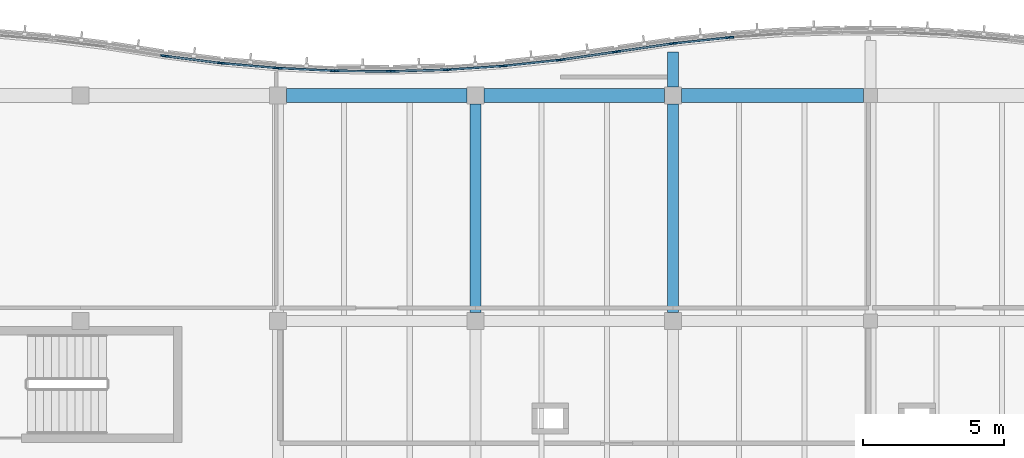
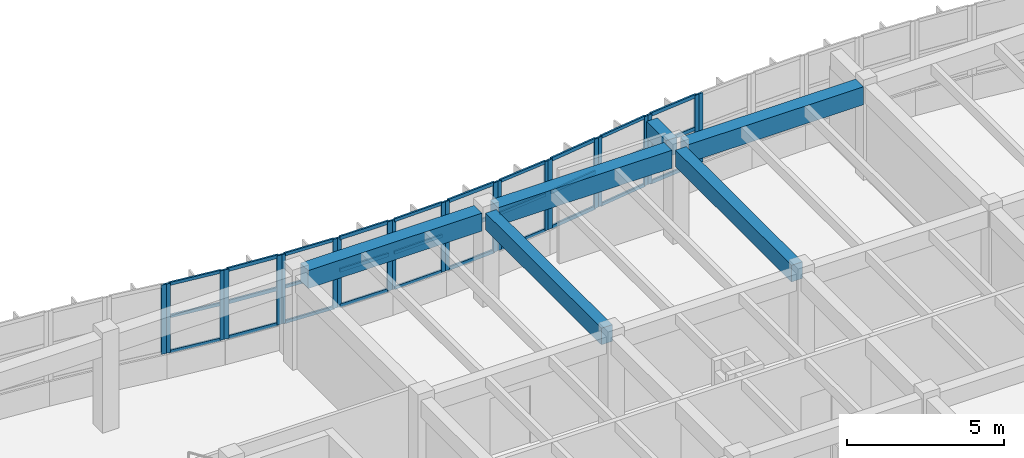
# One storey, part 39 of 89: 52 members, 6 beams, 12 elements without a shape of their own.
"""IFC4 building model written with IfcOpenShell, lengths in metres."""

from ifc_helpers import new_model, si_unit, direction, frame, origin, origin_2d, place, context, subcontext, project, spatial, rectangle, extrude, material, layer, layer_set, material_profile, profile_set, type_object, element, aggregate, save


model = new_model("IFC4")

# Units and contexts
model_context = context("Model", 3, precision=1e-05, world=origin(), true_north=direction((0.0, 1.0)))
body_context = subcontext(model_context, "Body", "Model", "MODEL_VIEW")
ifc_project = project(units=[si_unit("LENGTHUNIT", "METRE"), si_unit("AREAUNIT", "SQUARE_METRE"), si_unit("VOLUMEUNIT", "CUBIC_METRE"), si_unit("PLANEANGLEUNIT", "RADIAN"), si_unit("MASSUNIT", "GRAM", prefix="KILO")], contexts=[model_context])

# Site, building, storey
site_placement = place(None, origin())
site = spatial("IfcSite", under=ifc_project, at=site_placement, CompositionType="ELEMENT")
building_placement = place(site_placement, origin())
building = spatial("IfcBuilding", under=site, at=building_placement, Name="Tonlespit Floodbar School", CompositionType="ELEMENT")
storey_placement = place(building_placement, frame((0.0, 0.0, 4.5)))
storey = spatial("IfcBuildingStorey", under=building, at=storey_placement, Name="L01", CompositionType="ELEMENT", Elevation=4.5)

# Beams
ifc_material_1 = material(Name="Concrete C40/50", Category="concrete")
ifc_material_profile_1 = material_profile(ifc_material_1, rectangle(XDim=0.39990234375, YDim=0.64990234375, at=origin_2d()), Name="RC 400x650")
ifc_profile_set_1 = profile_set([ifc_material_profile_1], Name="Concrete C40/50")
beam_type_1 = type_object("IfcBeamType", Name="Beam_RC_400x650", PredefinedType="BEAM", material=ifc_profile_set_1)
for number, where, z_axis, x_axis, name in (
    (1, (141.0, 112.300048828125, 3.320068359375), (0.0, 1.0, 0.0), (-1.0, 0.0, 0.0), "L01 girder 0753"),
    (2, (148.0, 112.300048828125, 3.320068359375), (0.0, 1.0, 0.0), (-1.0, 0.0, 0.0), "L01 girder 0760"),
):
    element("IfcBeam", number, at=place(storey_placement, frame(where, z_axis=z_axis, x_axis=x_axis)), inside=storey, type_object=beam_type_1, Name=name, PredefinedType="BEAM", context=body_context, shape_type="SweptSolid", body=[
        extrude(rectangle(XDim=0.39990234375, YDim=0.64990234375, at=origin_2d()), origin(), (0.0, 0.0, 1.0), 7.39990234375),
    ])
beam_1_placement = place(storey_placement, frame((148.0, 120.300048828125, 3.320068359375), z_axis=(0.0, 1.0, 0.0), x_axis=(-1.0, 0.0, 0.0)))
element("IfcBeam", 3, at=beam_1_placement, inside=storey, type_object=beam_type_1, Name="L01 north street wave cantilever bracket", PredefinedType="BEAM", context=body_context, shape_type="SweptSolid", body=[
    extrude(rectangle(XDim=0.39990234375, YDim=0.64990234375, at=origin_2d()), origin(), (0.0, 0.0, 1.0), 1.241455078125),
])

# Curtain wall, members
ifc_material_2 = material(Name="Anodised Aluminium", Category="aluminium")
ifc_layer_1 = layer(ifc_material_2, 0.159912109375)
ifc_layer_set_1 = layer_set([ifc_layer_1], Name="Anodised Aluminium")
curtain_wall_type_1 = type_object("IfcCurtainWallType", Name="CurtainWall_1950x2700", PredefinedType="NOTDEFINED", material=ifc_layer_set_1)
curtain_wall_1_placement = place(storey_placement, origin())
curtain_wall_1 = element("IfcCurtainWall", 4, at=curtain_wall_1_placement, inside=storey, type_object=curtain_wall_type_1, Name="L01 unitised curtain wall 0384", PredefinedType="NOTDEFINED")
ifc_material_profile_2 = material_profile(ifc_material_2, rectangle(XDim=0.06494140625, YDim=0.14990234375, at=origin_2d()), Name="ALU M65x150")
ifc_profile_set_2 = profile_set([ifc_material_profile_2], Name="Anodised Aluminium")
member_type_1 = type_object("IfcMemberType", Name="CW_Mullion_65x150", PredefinedType="MULLION", material=ifc_profile_set_2)
member_1_placement = place(storey_placement, frame((130.072021484375, 121.38525390625, 0.949951171875), z_axis=(0.0, 0.0, 1.0), x_axis=(0.125013803299, 0.992155002499, 0.0)))
member_1 = element("IfcMember", 5, at=member_1_placement, type_object=member_type_1, Name="CW-04 mullion 1", PredefinedType="MULLION", context=body_context, shape_type="SweptSolid", body=[
    extrude(rectangle(XDim=0.06494140625, YDim=0.14990234375, at=origin_2d()), origin(), (0.0, 0.0, 1.0), 2.699951171875),
])
member_2_placement = place(storey_placement, frame((131.927978515625, 121.1513671875, 0.949951171875), z_axis=(0.0, 0.0, 1.0), x_axis=(0.125013803299, 0.992155002499, 0.0)))
member_2 = element("IfcMember", 6, at=member_2_placement, type_object=member_type_1, Name="CW-04 mullion 2", PredefinedType="MULLION", context=body_context, shape_type="SweptSolid", body=[
    extrude(rectangle(XDim=0.06494140625, YDim=0.14990234375, at=origin_2d()), origin(), (0.0, 0.0, 1.0), 2.699951171875),
])

ifc_layer_2 = layer(ifc_material_2, 0.159912109375)
ifc_layer_set_2 = layer_set([ifc_layer_2], Name="Anodised Aluminium")
curtain_wall_type_2 = type_object("IfcCurtainWallType", Name="CurtainWall_1900x2700", PredefinedType="NOTDEFINED", material=ifc_layer_set_2)
curtain_wall_2_placement = place(storey_placement, origin())
curtain_wall_2 = element("IfcCurtainWall", 7, at=curtain_wall_2_placement, inside=storey, type_object=curtain_wall_type_2, Name="L01 unitised curtain wall 0386", PredefinedType="NOTDEFINED")
member_3_placement = place(storey_placement, frame((134.072509765625, 120.965087890625, 0.949951171875), z_axis=(0.0, 0.0, 1.0), x_axis=(0.048121270216, 0.998841500616, 0.0)))
member_3 = element("IfcMember", 8, at=member_3_placement, type_object=member_type_1, Name="CW-05 mullion 1", PredefinedType="MULLION", context=body_context, shape_type="SweptSolid", body=[
    extrude(rectangle(XDim=0.06494140625, YDim=0.14990234375, at=origin_2d()), origin(), (0.0, 0.0, 1.0), 2.699951171875),
])
member_4_placement = place(storey_placement, frame((135.927490234375, 120.875732421875, 0.949951171875), z_axis=(0.0, 0.0, 1.0), x_axis=(0.048121270216, 0.998841500616, 0.0)))
member_4 = element("IfcMember", 9, at=member_4_placement, type_object=member_type_1, Name="CW-05 mullion 2", PredefinedType="MULLION", context=body_context, shape_type="SweptSolid", body=[
    extrude(rectangle(XDim=0.06494140625, YDim=0.14990234375, at=origin_2d()), origin(), (0.0, 0.0, 1.0), 2.699951171875),
])

curtain_wall_3_placement = place(storey_placement, origin())
curtain_wall_3 = element("IfcCurtainWall", 10, at=curtain_wall_3_placement, inside=storey, type_object=curtain_wall_type_2, Name="L01 unitised curtain wall 0388", PredefinedType="NOTDEFINED")
member_5_placement = place(storey_placement, frame((138.072509765625, 120.855224609375, 0.949951171875), z_axis=(0.0, 0.0, 1.0), x_axis=(-0.028790144226, 0.999585477883, 0.0)))
member_5 = element("IfcMember", 11, at=member_5_placement, type_object=member_type_1, Name="CW-05 mullion 1", PredefinedType="MULLION", context=body_context, shape_type="SweptSolid", body=[
    extrude(rectangle(XDim=0.06494140625, YDim=0.14990234375, at=origin_2d()), origin(), (0.0, 0.0, 1.0), 2.699951171875),
])
member_6_placement = place(storey_placement, frame((139.927490234375, 120.908447265625, 0.949951171875), z_axis=(0.0, 0.0, 1.0), x_axis=(-0.028790144226, 0.999585477883, 0.0)))
member_6 = element("IfcMember", 12, at=member_6_placement, type_object=member_type_1, Name="CW-05 mullion 2", PredefinedType="MULLION", context=body_context, shape_type="SweptSolid", body=[
    extrude(rectangle(XDim=0.06494140625, YDim=0.14990234375, at=origin_2d()), origin(), (0.0, 0.0, 1.0), 2.699951171875),
])

curtain_wall_4_placement = place(storey_placement, origin())
curtain_wall_4 = element("IfcCurtainWall", 13, at=curtain_wall_4_placement, inside=storey, type_object=curtain_wall_type_1, Name="L01 unitised curtain wall 0390", PredefinedType="NOTDEFINED")
member_7_placement = place(storey_placement, frame((142.072021484375, 121.05322265625, 0.949951171875), z_axis=(0.0, 0.0, 1.0), x_axis=(-0.105787143968, 0.994388797288, 0.0)))
member_7 = element("IfcMember", 14, at=member_7_placement, type_object=member_type_1, Name="CW-04 mullion 1", PredefinedType="MULLION", context=body_context, shape_type="SweptSolid", body=[
    extrude(rectangle(XDim=0.06494140625, YDim=0.14990234375, at=origin_2d()), origin(), (0.0, 0.0, 1.0), 2.699951171875),
])
member_8_placement = place(storey_placement, frame((143.927978515625, 121.250732421875, 0.949951171875), z_axis=(0.0, 0.0, 1.0), x_axis=(-0.105787143968, 0.994388797288, 0.0)))
member_8 = element("IfcMember", 15, at=member_8_placement, type_object=member_type_1, Name="CW-04 mullion 2", PredefinedType="MULLION", context=body_context, shape_type="SweptSolid", body=[
    extrude(rectangle(XDim=0.06494140625, YDim=0.14990234375, at=origin_2d()), origin(), (0.0, 0.0, 1.0), 2.699951171875),
])

curtain_wall_5_placement = place(storey_placement, origin())
curtain_wall_5 = element("IfcCurtainWall", 16, at=curtain_wall_5_placement, inside=storey, type_object=curtain_wall_type_1, Name="L01 unitised curtain wall 0392", PredefinedType="NOTDEFINED")
member_9_placement = place(storey_placement, frame((146.07177734375, 121.560546875, 0.949951171875), z_axis=(0.0, 0.0, 1.0), x_axis=(-0.144248041079, 0.989541561858, 0.0)))
member_9 = element("IfcMember", 17, at=member_9_placement, type_object=member_type_1, Name="CW-04 mullion 1", PredefinedType="MULLION", context=body_context, shape_type="SweptSolid", body=[
    extrude(rectangle(XDim=0.06494140625, YDim=0.14990234375, at=origin_2d()), origin(), (0.0, 0.0, 1.0), 2.699951171875),
])
member_10_placement = place(storey_placement, frame((147.92822265625, 121.8310546875, 0.949951171875), z_axis=(0.0, 0.0, 1.0), x_axis=(-0.144248041079, 0.989541561858, 0.0)))
member_10 = element("IfcMember", 18, at=member_10_placement, type_object=member_type_1, Name="CW-04 mullion 2", PredefinedType="MULLION", context=body_context, shape_type="SweptSolid", body=[
    extrude(rectangle(XDim=0.06494140625, YDim=0.14990234375, at=origin_2d()), origin(), (0.0, 0.0, 1.0), 2.699951171875),
])

# Curtain wall, member
curtain_wall_6_placement = place(storey_placement, origin())
curtain_wall_6 = element("IfcCurtainWall", 19, at=curtain_wall_6_placement, inside=storey, type_object=curtain_wall_type_2, Name="L01 unitised curtain wall 0394", PredefinedType="NOTDEFINED")
member_11_placement = place(storey_placement, frame((150.072265625, 122.05908203125, 0.949951171875), z_axis=(0.0, 0.0, 1.0), x_axis=(-0.067339767311, 0.99773010165, 0.0)))
member_11 = element("IfcMember", 20, at=member_11_placement, type_object=member_type_1, Name="CW-05 mullion 1", PredefinedType="MULLION", context=body_context, shape_type="SweptSolid", body=[
    extrude(rectangle(XDim=0.06494140625, YDim=0.14990234375, at=origin_2d()), origin(), (0.0, 0.0, 1.0), 2.699951171875),
])
aggregate(curtain_wall_6, [member_11])

curtain_wall_7_placement = place(storey_placement, origin())
curtain_wall_7 = element("IfcCurtainWall", 21, at=curtain_wall_7_placement, inside=storey, type_object=curtain_wall_type_1, Name="L01 unitised curtain wall 0383", PredefinedType="NOTDEFINED")
ifc_material_profile_3 = material_profile(ifc_material_2, rectangle(XDim=0.06494140625, YDim=0.179931640625, at=origin_2d()), Name="ALU M65x180")
ifc_profile_set_3 = profile_set([ifc_material_profile_3], Name="Anodised Aluminium")
member_type_2 = type_object("IfcMemberType", Name="CW_Mullion_65x180", PredefinedType="MULLION", material=ifc_profile_set_3)
member_12_placement = place(storey_placement, frame((129.928466796875, 121.405517578125, 0.949951171875), z_axis=(0.0, 0.0, 1.0), x_axis=(0.153796288585, 0.988102576465, 0.0)))
member_12 = element("IfcMember", 22, at=member_12_placement, type_object=member_type_2, Name="CW-04 mullion 2", PredefinedType="MULLION", context=body_context, shape_type="SweptSolid", body=[
    extrude(rectangle(XDim=0.06494140625, YDim=0.179931640625, at=origin_2d()), origin(), (0.0, 0.0, 1.0), 2.699951171875),
])
aggregate(curtain_wall_7, [member_12])

# Curtain wall, members
curtain_wall_8_placement = place(storey_placement, origin())
curtain_wall_8 = element("IfcCurtainWall", 23, at=curtain_wall_8_placement, inside=storey, type_object=curtain_wall_type_1, Name="L01 unitised curtain wall 0385", PredefinedType="NOTDEFINED")
member_13_placement = place(storey_placement, frame((132.072265625, 121.135986328125, 0.949951171875), z_axis=(0.0, 0.0, 1.0), x_axis=(0.086531117454, 0.996249148412, 0.0)))
member_13 = element("IfcMember", 24, at=member_13_placement, type_object=member_type_2, Name="CW-04 mullion 1", PredefinedType="MULLION", context=body_context, shape_type="SweptSolid", body=[
    extrude(rectangle(XDim=0.06494140625, YDim=0.179931640625, at=origin_2d()), origin(), (0.0, 0.0, 1.0), 2.699951171875),
])
member_14_placement = place(storey_placement, frame((133.927734375, 120.974853515625, 0.949951171875), z_axis=(0.0, 0.0, 1.0), x_axis=(0.086531117454, 0.996249148412, 0.0)))
member_14 = element("IfcMember", 25, at=member_14_placement, type_object=member_type_2, Name="CW-04 mullion 2", PredefinedType="MULLION", context=body_context, shape_type="SweptSolid", body=[
    extrude(rectangle(XDim=0.06494140625, YDim=0.179931640625, at=origin_2d()), origin(), (0.0, 0.0, 1.0), 2.699951171875),
])

curtain_wall_9_placement = place(storey_placement, origin())
curtain_wall_9 = element("IfcCurtainWall", 26, at=curtain_wall_9_placement, inside=storey, type_object=curtain_wall_type_2, Name="L01 unitised curtain wall 0387", PredefinedType="NOTDEFINED")
member_15_placement = place(storey_placement, frame((136.072509765625, 120.87158203125, 0.949951171875), z_axis=(0.0, 0.0, 1.0), x_axis=(0.009582893292, 0.999954083024, 0.0)))
member_15 = element("IfcMember", 27, at=member_15_placement, type_object=member_type_2, Name="CW-05 mullion 1", PredefinedType="MULLION", context=body_context, shape_type="SweptSolid", body=[
    extrude(rectangle(XDim=0.06494140625, YDim=0.179931640625, at=origin_2d()), origin(), (0.0, 0.0, 1.0), 2.699951171875),
])
member_16_placement = place(storey_placement, frame((137.927490234375, 120.853759765625, 0.949951171875), z_axis=(0.0, 0.0, 1.0), x_axis=(0.009582893292, 0.999954083024, 0.0)))
member_16 = element("IfcMember", 28, at=member_16_placement, type_object=member_type_2, Name="CW-05 mullion 2", PredefinedType="MULLION", context=body_context, shape_type="SweptSolid", body=[
    extrude(rectangle(XDim=0.06494140625, YDim=0.179931640625, at=origin_2d()), origin(), (0.0, 0.0, 1.0), 2.699951171875),
])

curtain_wall_10_placement = place(storey_placement, origin())
curtain_wall_10 = element("IfcCurtainWall", 29, at=curtain_wall_10_placement, inside=storey, type_object=curtain_wall_type_2, Name="L01 unitised curtain wall 0389", PredefinedType="NOTDEFINED")
member_17_placement = place(storey_placement, frame((140.072265625, 120.91552734375, 0.949951171875), z_axis=(0.0, 0.0, 1.0), x_axis=(-0.067339767311, 0.99773010165, 0.0)))
member_17 = element("IfcMember", 30, at=member_17_placement, type_object=member_type_2, Name="CW-05 mullion 1", PredefinedType="MULLION", context=body_context, shape_type="SweptSolid", body=[
    extrude(rectangle(XDim=0.06494140625, YDim=0.179931640625, at=origin_2d()), origin(), (0.0, 0.0, 1.0), 2.699951171875),
])
member_18_placement = place(storey_placement, frame((141.927734375, 121.040771484375, 0.949951171875), z_axis=(0.0, 0.0, 1.0), x_axis=(-0.067339767311, 0.99773010165, 0.0)))
member_18 = element("IfcMember", 31, at=member_18_placement, type_object=member_type_2, Name="CW-05 mullion 2", PredefinedType="MULLION", context=body_context, shape_type="SweptSolid", body=[
    extrude(rectangle(XDim=0.06494140625, YDim=0.179931640625, at=origin_2d()), origin(), (0.0, 0.0, 1.0), 2.699951171875),
])

curtain_wall_11_placement = place(storey_placement, origin())
curtain_wall_11 = element("IfcCurtainWall", 32, at=curtain_wall_11_placement, inside=storey, type_object=curtain_wall_type_1, Name="L01 unitised curtain wall 0391", PredefinedType="NOTDEFINED")
member_19_placement = place(storey_placement, frame((144.07177734375, 121.268798828125, 0.949951171875), z_axis=(0.0, 0.0, 1.0), x_axis=(-0.144248041079, 0.989541561858, 0.0)))
member_19 = element("IfcMember", 33, at=member_19_placement, type_object=member_type_2, Name="CW-04 mullion 1", PredefinedType="MULLION", context=body_context, shape_type="SweptSolid", body=[
    extrude(rectangle(XDim=0.06494140625, YDim=0.179931640625, at=origin_2d()), origin(), (0.0, 0.0, 1.0), 2.699951171875),
])
member_20_placement = place(storey_placement, frame((145.92822265625, 121.53955078125, 0.949951171875), z_axis=(0.0, 0.0, 1.0), x_axis=(-0.144248041079, 0.989541561858, 0.0)))
member_20 = element("IfcMember", 34, at=member_20_placement, type_object=member_type_2, Name="CW-04 mullion 2", PredefinedType="MULLION", context=body_context, shape_type="SweptSolid", body=[
    extrude(rectangle(XDim=0.06494140625, YDim=0.179931640625, at=origin_2d()), origin(), (0.0, 0.0, 1.0), 2.699951171875),
])

curtain_wall_12_placement = place(storey_placement, origin())
curtain_wall_12 = element("IfcCurtainWall", 35, at=curtain_wall_12_placement, inside=storey, type_object=curtain_wall_type_1, Name="L01 unitised curtain wall 0393", PredefinedType="NOTDEFINED")
member_21_placement = place(storey_placement, frame((148.072021484375, 121.84912109375, 0.949951171875), z_axis=(0.0, 0.0, 1.0), x_axis=(-0.105787143968, 0.994388797288, 0.0)))
member_21 = element("IfcMember", 36, at=member_21_placement, type_object=member_type_2, Name="CW-04 mullion 1", PredefinedType="MULLION", context=body_context, shape_type="SweptSolid", body=[
    extrude(rectangle(XDim=0.06494140625, YDim=0.179931640625, at=origin_2d()), origin(), (0.0, 0.0, 1.0), 2.699951171875),
])
member_22_placement = place(storey_placement, frame((149.927978515625, 122.046630859375, 0.949951171875), z_axis=(0.0, 0.0, 1.0), x_axis=(-0.105787143968, 0.994388797288, 0.0)))
member_22 = element("IfcMember", 37, at=member_22_placement, type_object=member_type_2, Name="CW-04 mullion 2", PredefinedType="MULLION", context=body_context, shape_type="SweptSolid", body=[
    extrude(rectangle(XDim=0.06494140625, YDim=0.179931640625, at=origin_2d()), origin(), (0.0, 0.0, 1.0), 2.699951171875),
])

# Member
ifc_material_profile_4 = material_profile(ifc_material_2, rectangle(XDim=0.06494140625, YDim=0.1201171875, at=origin_2d()), Name="ALU T65x120")
ifc_profile_set_4 = profile_set([ifc_material_profile_4], Name="Anodised Aluminium")
member_type_3 = type_object("IfcMemberType", Name="CW_Transom_65x120", PredefinedType="USERDEFINED", material=ifc_profile_set_4)
member_23_placement = place(storey_placement, frame((130.104248046875, 121.381103515625, 0.982421875), z_axis=(0.992165142165, -0.124933304901, 0.0), x_axis=(0.124933304901, 0.992165142165, 0.0)))
member_23 = element("IfcMember", 38, at=member_23_placement, type_object=member_type_3, Name="CW-04 transom 1.1", ObjectType="TRANSOM", PredefinedType="USERDEFINED", context=body_context, shape_type="SweptSolid", body=[
    extrude(rectangle(XDim=0.06494140625, YDim=0.1201171875, at=origin_2d()), origin(), (0.0, 0.0, 1.0), 1.8056640625),
])

member_24_placement = place(storey_placement, frame((130.104248046875, 121.381103515625, 2.35400390625), z_axis=(0.992165142165, -0.124933304901, 0.0), x_axis=(0.124933304901, 0.992165142165, 0.0)))
member_24 = element("IfcMember", 39, at=member_24_placement, type_object=member_type_3, Name="CW-04 transom 1.2", ObjectType="TRANSOM", PredefinedType="USERDEFINED", context=body_context, shape_type="SweptSolid", body=[
    extrude(rectangle(XDim=0.06494140625, YDim=0.1201171875, at=origin_2d()), origin(), (0.0, 0.0, 1.0), 1.8056640625),
])

member_25_placement = place(storey_placement, frame((130.104248046875, 121.381103515625, 3.617431640625), z_axis=(0.992165142165, -0.124933304901, 0.0), x_axis=(0.124933304901, 0.992165142165, 0.0)))
member_25 = element("IfcMember", 40, at=member_25_placement, type_object=member_type_3, Name="CW-04 transom 1.3", ObjectType="TRANSOM", PredefinedType="USERDEFINED", context=body_context, shape_type="SweptSolid", body=[
    extrude(rectangle(XDim=0.06494140625, YDim=0.1201171875, at=origin_2d()), origin(), (0.0, 0.0, 1.0), 1.8056640625),
])

aggregate(curtain_wall_1, [member_1, member_2, member_23, member_24, member_25])

member_26_placement = place(storey_placement, frame((134.10498046875, 120.96337890625, 0.982421875), z_axis=(0.998843034795, -0.048089415069, 0.0), x_axis=(0.048089415069, 0.998843034795, 0.0)))
member_26 = element("IfcMember", 41, at=member_26_placement, type_object=member_type_3, Name="CW-05 transom 1.1", ObjectType="TRANSOM", PredefinedType="USERDEFINED", context=body_context, shape_type="SweptSolid", body=[
    extrude(rectangle(XDim=0.06494140625, YDim=0.1201171875, at=origin_2d()), origin(), (0.0, 0.0, 1.0), 1.7919921875),
])

member_27_placement = place(storey_placement, frame((134.10498046875, 120.96337890625, 2.35400390625), z_axis=(0.998843034795, -0.048089415069, 0.0), x_axis=(0.048089415069, 0.998843034795, 0.0)))
member_27 = element("IfcMember", 42, at=member_27_placement, type_object=member_type_3, Name="CW-05 transom 1.2", ObjectType="TRANSOM", PredefinedType="USERDEFINED", context=body_context, shape_type="SweptSolid", body=[
    extrude(rectangle(XDim=0.06494140625, YDim=0.1201171875, at=origin_2d()), origin(), (0.0, 0.0, 1.0), 1.7919921875),
])

member_28_placement = place(storey_placement, frame((134.10498046875, 120.96337890625, 3.617431640625), z_axis=(0.998843034795, -0.048089415069, 0.0), x_axis=(0.048089415069, 0.998843034795, 0.0)))
member_28 = element("IfcMember", 43, at=member_28_placement, type_object=member_type_3, Name="CW-05 transom 1.3", ObjectType="TRANSOM", PredefinedType="USERDEFINED", context=body_context, shape_type="SweptSolid", body=[
    extrude(rectangle(XDim=0.06494140625, YDim=0.1201171875, at=origin_2d()), origin(), (0.0, 0.0, 1.0), 1.7919921875),
])

aggregate(curtain_wall_2, [member_3, member_4, member_26, member_27, member_28])

member_29_placement = place(storey_placement, frame((138.10498046875, 120.85595703125, 0.982421875), z_axis=(0.999582242166, 0.028902268868, 0.0), x_axis=(-0.028902268868, 0.999582242166, 0.0)))
member_29 = element("IfcMember", 44, at=member_29_placement, type_object=member_type_3, Name="CW-05 transom 1.1", ObjectType="TRANSOM", PredefinedType="USERDEFINED", context=body_context, shape_type="SweptSolid", body=[
    extrude(rectangle(XDim=0.06494140625, YDim=0.1201171875, at=origin_2d()), origin(), (0.0, 0.0, 1.0), 1.790771484375),
])

member_30_placement = place(storey_placement, frame((138.10498046875, 120.85595703125, 2.35400390625), z_axis=(0.999582242166, 0.028902268868, 0.0), x_axis=(-0.028902268868, 0.999582242166, 0.0)))
member_30 = element("IfcMember", 45, at=member_30_placement, type_object=member_type_3, Name="CW-05 transom 1.2", ObjectType="TRANSOM", PredefinedType="USERDEFINED", context=body_context, shape_type="SweptSolid", body=[
    extrude(rectangle(XDim=0.06494140625, YDim=0.1201171875, at=origin_2d()), origin(), (0.0, 0.0, 1.0), 1.790771484375),
])

member_31_placement = place(storey_placement, frame((138.10498046875, 120.85595703125, 3.617431640625), z_axis=(0.999582242166, 0.028902268868, 0.0), x_axis=(-0.028902268868, 0.999582242166, 0.0)))
member_31 = element("IfcMember", 46, at=member_31_placement, type_object=member_type_3, Name="CW-05 transom 1.3", ObjectType="TRANSOM", PredefinedType="USERDEFINED", context=body_context, shape_type="SweptSolid", body=[
    extrude(rectangle(XDim=0.06494140625, YDim=0.1201171875, at=origin_2d()), origin(), (0.0, 0.0, 1.0), 1.790771484375),
])

aggregate(curtain_wall_3, [member_5, member_6, member_29, member_30, member_31])

member_32_placement = place(storey_placement, frame((142.1044921875, 121.056884765625, 0.982421875), z_axis=(0.994394979136, 0.105729019047, 0.0), x_axis=(-0.105729019047, 0.994394979136, 0.0)))
member_32 = element("IfcMember", 47, at=member_32_placement, type_object=member_type_3, Name="CW-04 transom 1.1", ObjectType="TRANSOM", PredefinedType="USERDEFINED", context=body_context, shape_type="SweptSolid", body=[
    extrude(rectangle(XDim=0.06494140625, YDim=0.1201171875, at=origin_2d()), origin(), (0.0, 0.0, 1.0), 1.801025390625),
])

member_33_placement = place(storey_placement, frame((142.1044921875, 121.056884765625, 2.35400390625), z_axis=(0.994394979136, 0.105729019047, 0.0), x_axis=(-0.105729019047, 0.994394979136, 0.0)))
member_33 = element("IfcMember", 48, at=member_33_placement, type_object=member_type_3, Name="CW-04 transom 1.2", ObjectType="TRANSOM", PredefinedType="USERDEFINED", context=body_context, shape_type="SweptSolid", body=[
    extrude(rectangle(XDim=0.06494140625, YDim=0.1201171875, at=origin_2d()), origin(), (0.0, 0.0, 1.0), 1.801025390625),
])

member_34_placement = place(storey_placement, frame((142.1044921875, 121.056884765625, 3.617431640625), z_axis=(0.994394979136, 0.105729019047, 0.0), x_axis=(-0.105729019047, 0.994394979136, 0.0)))
member_34 = element("IfcMember", 49, at=member_34_placement, type_object=member_type_3, Name="CW-04 transom 1.3", ObjectType="TRANSOM", PredefinedType="USERDEFINED", context=body_context, shape_type="SweptSolid", body=[
    extrude(rectangle(XDim=0.06494140625, YDim=0.1201171875, at=origin_2d()), origin(), (0.0, 0.0, 1.0), 1.801025390625),
])

aggregate(curtain_wall_4, [member_7, member_8, member_32, member_33, member_34])

member_35_placement = place(storey_placement, frame((146.10400390625, 121.565185546875, 0.982421875), z_axis=(0.989541000818, 0.144251889765, 0.0), x_axis=(-0.144251889765, 0.989541000818, 0.0)))
member_35 = element("IfcMember", 50, at=member_35_placement, type_object=member_type_3, Name="CW-04 transom 1.1", ObjectType="TRANSOM", PredefinedType="USERDEFINED", context=body_context, shape_type="SweptSolid", body=[
    extrude(rectangle(XDim=0.06494140625, YDim=0.1201171875, at=origin_2d()), origin(), (0.0, 0.0, 1.0), 1.81103515625),
])

member_36_placement = place(storey_placement, frame((146.10400390625, 121.565185546875, 2.35400390625), z_axis=(0.989541000818, 0.144251889765, 0.0), x_axis=(-0.144251889765, 0.989541000818, 0.0)))
member_36 = element("IfcMember", 51, at=member_36_placement, type_object=member_type_3, Name="CW-04 transom 1.2", ObjectType="TRANSOM", PredefinedType="USERDEFINED", context=body_context, shape_type="SweptSolid", body=[
    extrude(rectangle(XDim=0.06494140625, YDim=0.1201171875, at=origin_2d()), origin(), (0.0, 0.0, 1.0), 1.81103515625),
])

member_37_placement = place(storey_placement, frame((146.10400390625, 121.565185546875, 3.617431640625), z_axis=(0.989541000818, 0.144251889765, 0.0), x_axis=(-0.144251889765, 0.989541000818, 0.0)))
member_37 = element("IfcMember", 52, at=member_37_placement, type_object=member_type_3, Name="CW-04 transom 1.3", ObjectType="TRANSOM", PredefinedType="USERDEFINED", context=body_context, shape_type="SweptSolid", body=[
    extrude(rectangle(XDim=0.06494140625, YDim=0.1201171875, at=origin_2d()), origin(), (0.0, 0.0, 1.0), 1.81103515625),
])

aggregate(curtain_wall_5, [member_9, member_10, member_35, member_36, member_37])

ifc_material_profile_5 = material_profile(ifc_material_2, rectangle(XDim=0.06494140625, YDim=0.139892578125, at=origin_2d()), Name="ALU T65x140")
ifc_profile_set_5 = profile_set([ifc_material_profile_5], Name="Anodised Aluminium")
member_type_4 = type_object("IfcMemberType", Name="CW_Transom_65x140", PredefinedType="USERDEFINED", material=ifc_profile_set_5)
member_38_placement = place(storey_placement, frame((132.1044921875, 121.133056640625, 0.982421875), z_axis=(0.996251281774, -0.086506552139, 0.0), x_axis=(0.086506552139, 0.996251281774, 0.0)))
member_38 = element("IfcMember", 53, at=member_38_placement, type_object=member_type_4, Name="CW-04 transom 1.1", ObjectType="TRANSOM", PredefinedType="USERDEFINED", context=body_context, shape_type="SweptSolid", body=[
    extrude(rectangle(XDim=0.06494140625, YDim=0.139892578125, at=origin_2d()), origin(), (0.0, 0.0, 1.0), 1.7978515625),
])

member_39_placement = place(storey_placement, frame((132.1044921875, 121.133056640625, 2.35400390625), z_axis=(0.996251281774, -0.086506552139, 0.0), x_axis=(0.086506552139, 0.996251281774, 0.0)))
member_39 = element("IfcMember", 54, at=member_39_placement, type_object=member_type_4, Name="CW-04 transom 1.2", ObjectType="TRANSOM", PredefinedType="USERDEFINED", context=body_context, shape_type="SweptSolid", body=[
    extrude(rectangle(XDim=0.06494140625, YDim=0.139892578125, at=origin_2d()), origin(), (0.0, 0.0, 1.0), 1.7978515625),
])

member_40_placement = place(storey_placement, frame((132.1044921875, 121.133056640625, 3.617431640625), z_axis=(0.996251281774, -0.086506552139, 0.0), x_axis=(0.086506552139, 0.996251281774, 0.0)))
member_40 = element("IfcMember", 55, at=member_40_placement, type_object=member_type_4, Name="CW-04 transom 1.3", ObjectType="TRANSOM", PredefinedType="USERDEFINED", context=body_context, shape_type="SweptSolid", body=[
    extrude(rectangle(XDim=0.06494140625, YDim=0.139892578125, at=origin_2d()), origin(), (0.0, 0.0, 1.0), 1.7978515625),
])

aggregate(curtain_wall_8, [member_13, member_14, member_38, member_39, member_40])

member_41_placement = place(storey_placement, frame((136.10498046875, 120.87109375, 0.982421875), z_axis=(0.999954428693, -0.00954675532, 0.0), x_axis=(0.00954675532, 0.999954428693, 0.0)))
member_41 = element("IfcMember", 56, at=member_41_placement, type_object=member_type_4, Name="CW-05 transom 1.1", ObjectType="TRANSOM", PredefinedType="USERDEFINED", context=body_context, shape_type="SweptSolid", body=[
    extrude(rectangle(XDim=0.06494140625, YDim=0.139892578125, at=origin_2d()), origin(), (0.0, 0.0, 1.0), 1.7900390625),
])

member_42_placement = place(storey_placement, frame((136.10498046875, 120.87109375, 2.35400390625), z_axis=(0.999954428693, -0.00954675532, 0.0), x_axis=(0.00954675532, 0.999954428693, 0.0)))
member_42 = element("IfcMember", 57, at=member_42_placement, type_object=member_type_4, Name="CW-05 transom 1.2", ObjectType="TRANSOM", PredefinedType="USERDEFINED", context=body_context, shape_type="SweptSolid", body=[
    extrude(rectangle(XDim=0.06494140625, YDim=0.139892578125, at=origin_2d()), origin(), (0.0, 0.0, 1.0), 1.7900390625),
])

member_43_placement = place(storey_placement, frame((136.10498046875, 120.87109375, 3.617431640625), z_axis=(0.999954428693, -0.00954675532, 0.0), x_axis=(0.00954675532, 0.999954428693, 0.0)))
member_43 = element("IfcMember", 58, at=member_43_placement, type_object=member_type_4, Name="CW-05 transom 1.3", ObjectType="TRANSOM", PredefinedType="USERDEFINED", context=body_context, shape_type="SweptSolid", body=[
    extrude(rectangle(XDim=0.06494140625, YDim=0.139892578125, at=origin_2d()), origin(), (0.0, 0.0, 1.0), 1.7900390625),
])

aggregate(curtain_wall_9, [member_15, member_16, member_41, member_42, member_43])

member_44_placement = place(storey_placement, frame((140.104736328125, 120.917724609375, 0.982421875), z_axis=(0.997730041674, 0.067340655935, 0.0), x_axis=(-0.067340655935, 0.997730041674, 0.0)))
member_44 = element("IfcMember", 59, at=member_44_placement, type_object=member_type_4, Name="CW-05 transom 1.1", ObjectType="TRANSOM", PredefinedType="USERDEFINED", context=body_context, shape_type="SweptSolid", body=[
    extrude(rectangle(XDim=0.06494140625, YDim=0.139892578125, at=origin_2d()), origin(), (0.0, 0.0, 1.0), 1.794677734375),
])

member_45_placement = place(storey_placement, frame((140.104736328125, 120.917724609375, 2.35400390625), z_axis=(0.997730041674, 0.067340655935, 0.0), x_axis=(-0.067340655935, 0.997730041674, 0.0)))
member_45 = element("IfcMember", 60, at=member_45_placement, type_object=member_type_4, Name="CW-05 transom 1.2", ObjectType="TRANSOM", PredefinedType="USERDEFINED", context=body_context, shape_type="SweptSolid", body=[
    extrude(rectangle(XDim=0.06494140625, YDim=0.139892578125, at=origin_2d()), origin(), (0.0, 0.0, 1.0), 1.794677734375),
])

member_46_placement = place(storey_placement, frame((140.104736328125, 120.917724609375, 3.617431640625), z_axis=(0.997730041674, 0.067340655935, 0.0), x_axis=(-0.067340655935, 0.997730041674, 0.0)))
member_46 = element("IfcMember", 61, at=member_46_placement, type_object=member_type_4, Name="CW-05 transom 1.3", ObjectType="TRANSOM", PredefinedType="USERDEFINED", context=body_context, shape_type="SweptSolid", body=[
    extrude(rectangle(XDim=0.06494140625, YDim=0.139892578125, at=origin_2d()), origin(), (0.0, 0.0, 1.0), 1.794677734375),
])

aggregate(curtain_wall_10, [member_17, member_18, member_44, member_45, member_46])

member_47_placement = place(storey_placement, frame((144.10400390625, 121.273681640625, 0.982421875), z_axis=(0.989541000818, 0.144251889765, 0.0), x_axis=(-0.144251889765, 0.989541000818, 0.0)))
member_47 = element("IfcMember", 62, at=member_47_placement, type_object=member_type_4, Name="CW-04 transom 1.1", ObjectType="TRANSOM", PredefinedType="USERDEFINED", context=body_context, shape_type="SweptSolid", body=[
    extrude(rectangle(XDim=0.06494140625, YDim=0.139892578125, at=origin_2d()), origin(), (0.0, 0.0, 1.0), 1.81103515625),
])

member_48_placement = place(storey_placement, frame((144.10400390625, 121.273681640625, 2.35400390625), z_axis=(0.989541000818, 0.144251889765, 0.0), x_axis=(-0.144251889765, 0.989541000818, 0.0)))
member_48 = element("IfcMember", 63, at=member_48_placement, type_object=member_type_4, Name="CW-04 transom 1.2", ObjectType="TRANSOM", PredefinedType="USERDEFINED", context=body_context, shape_type="SweptSolid", body=[
    extrude(rectangle(XDim=0.06494140625, YDim=0.139892578125, at=origin_2d()), origin(), (0.0, 0.0, 1.0), 1.81103515625),
])

member_49_placement = place(storey_placement, frame((144.10400390625, 121.273681640625, 3.617431640625), z_axis=(0.989541000818, 0.144251889765, 0.0), x_axis=(-0.144251889765, 0.989541000818, 0.0)))
member_49 = element("IfcMember", 64, at=member_49_placement, type_object=member_type_4, Name="CW-04 transom 1.3", ObjectType="TRANSOM", PredefinedType="USERDEFINED", context=body_context, shape_type="SweptSolid", body=[
    extrude(rectangle(XDim=0.06494140625, YDim=0.139892578125, at=origin_2d()), origin(), (0.0, 0.0, 1.0), 1.81103515625),
])

aggregate(curtain_wall_11, [member_19, member_20, member_47, member_48, member_49])

member_50_placement = place(storey_placement, frame((148.1044921875, 121.852783203125, 0.982421875), z_axis=(0.994394979136, 0.105729019047, 0.0), x_axis=(-0.105729019047, 0.994394979136, 0.0)))
member_50 = element("IfcMember", 65, at=member_50_placement, type_object=member_type_4, Name="CW-04 transom 1.1", ObjectType="TRANSOM", PredefinedType="USERDEFINED", context=body_context, shape_type="SweptSolid", body=[
    extrude(rectangle(XDim=0.06494140625, YDim=0.139892578125, at=origin_2d()), origin(), (0.0, 0.0, 1.0), 1.801025390625),
])

member_51_placement = place(storey_placement, frame((148.1044921875, 121.852783203125, 2.35400390625), z_axis=(0.994394979136, 0.105729019047, 0.0), x_axis=(-0.105729019047, 0.994394979136, 0.0)))
member_51 = element("IfcMember", 66, at=member_51_placement, type_object=member_type_4, Name="CW-04 transom 1.2", ObjectType="TRANSOM", PredefinedType="USERDEFINED", context=body_context, shape_type="SweptSolid", body=[
    extrude(rectangle(XDim=0.06494140625, YDim=0.139892578125, at=origin_2d()), origin(), (0.0, 0.0, 1.0), 1.801025390625),
])

member_52_placement = place(storey_placement, frame((148.1044921875, 121.852783203125, 3.617431640625), z_axis=(0.994394979136, 0.105729019047, 0.0), x_axis=(-0.105729019047, 0.994394979136, 0.0)))
member_52 = element("IfcMember", 67, at=member_52_placement, type_object=member_type_4, Name="CW-04 transom 1.3", ObjectType="TRANSOM", PredefinedType="USERDEFINED", context=body_context, shape_type="SweptSolid", body=[
    extrude(rectangle(XDim=0.06494140625, YDim=0.139892578125, at=origin_2d()), origin(), (0.0, 0.0, 1.0), 1.801025390625),
])

aggregate(curtain_wall_12, [member_21, member_22, member_50, member_51, member_52])

# Beams
ifc_material_profile_6 = material_profile(ifc_material_1, rectangle(XDim=0.5, YDim=0.699951171875, at=origin_2d()), Name="RC 500x700")
ifc_profile_set_6 = profile_set([ifc_material_profile_6], Name="Concrete C40/50")
beam_type_2 = type_object("IfcBeamType", Name="Spandrel_RC_500x700", PredefinedType="SPANDREL", material=ifc_profile_set_6)
for number, where, z_axis, x_axis, name in (
    (68, (134.300048828125, 120.0, 3.294921875), (1.0, 0.0, 0.0), (0.0, 1.0, 0.0), "L01 girder 0665"),
    (69, (141.300048828125, 120.0, 3.294921875), (1.0, 0.0, 0.0), (0.0, 1.0, 0.0), "L01 girder 0666"),
):
    element("IfcBeam", number, at=place(storey_placement, frame(where, z_axis=z_axis, x_axis=x_axis)), inside=storey, type_object=beam_type_2, Name=name, PredefinedType="SPANDREL", context=body_context, shape_type="SweptSolid", body=[
        extrude(rectangle(XDim=0.5, YDim=0.699951171875, at=origin_2d()), origin(), (0.0, 0.0, 1.0), 6.39990234375),
    ])
beam_2_placement = place(storey_placement, frame((148.300048828125, 120.0, 3.294921875), z_axis=(1.0, 0.0, 0.0), x_axis=(0.0, 1.0, 0.0)))
element("IfcBeam", 70, at=beam_2_placement, inside=storey, type_object=beam_type_2, Name="L01 girder 0667", PredefinedType="SPANDREL", context=body_context, shape_type="SweptSolid", body=[
    extrude(rectangle(XDim=0.5, YDim=0.699951171875, at=origin_2d()), origin(), (0.0, 0.0, 1.0), 6.449951171875),
])

save(model, "model.ifc")
